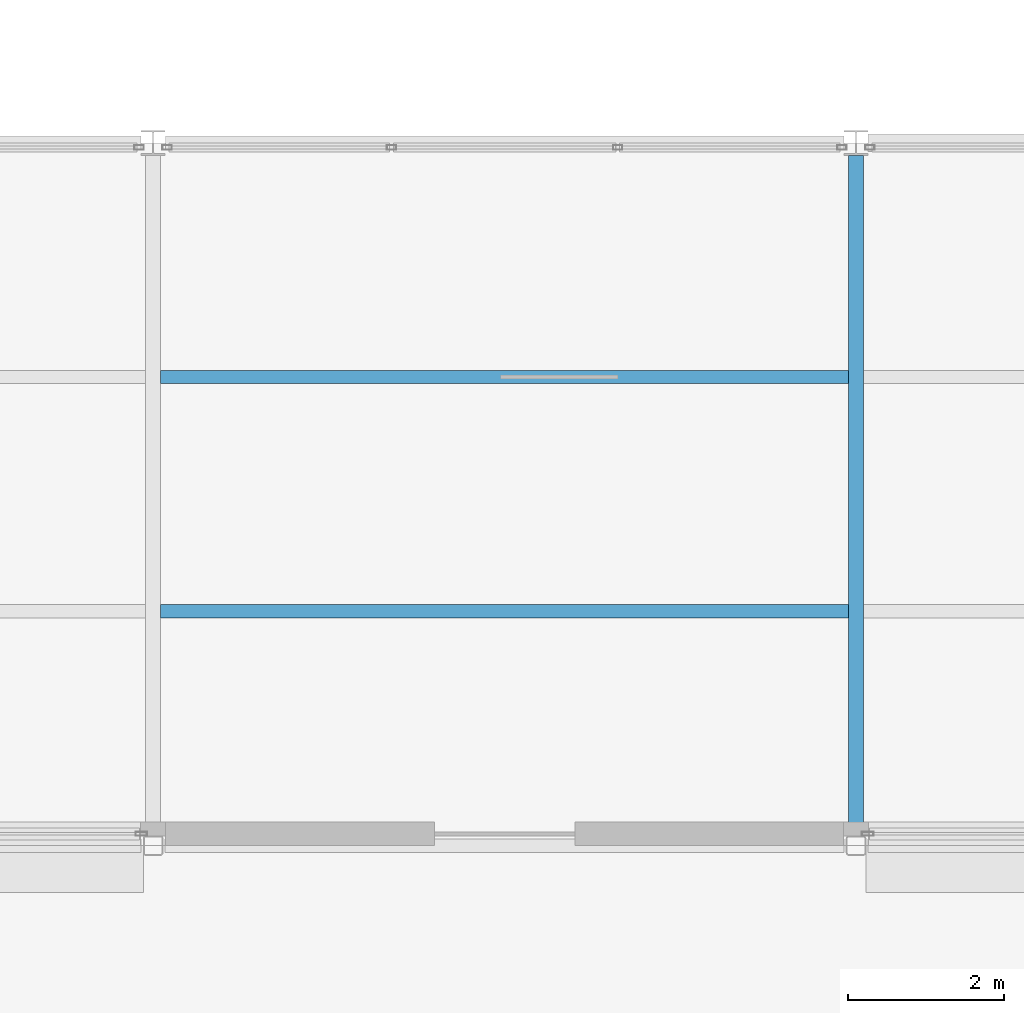
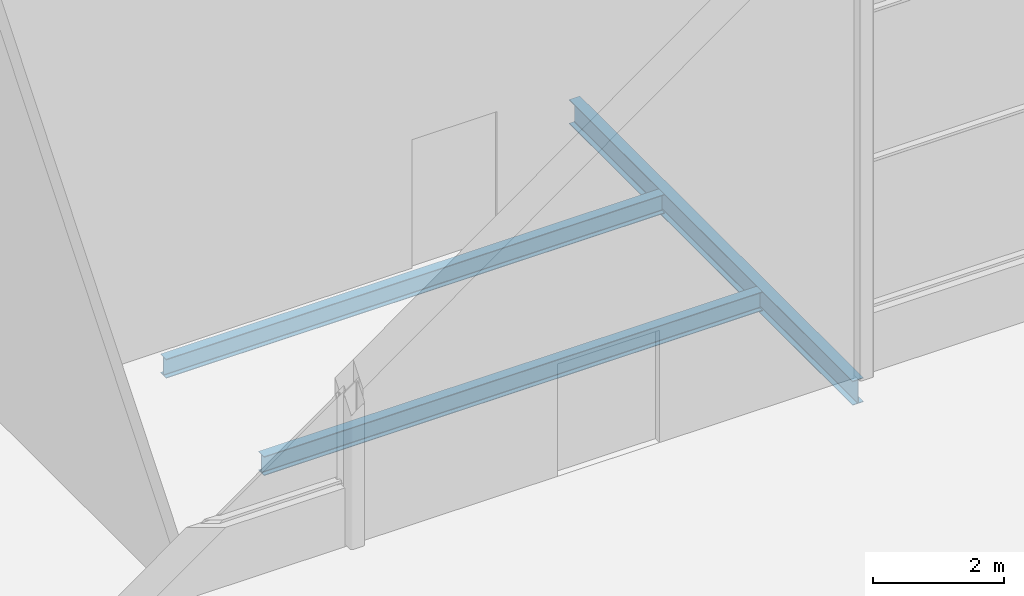
# One storey, part 20 of 111: 3 beams.
"""IFC4 building model written with IfcOpenShell, lengths in metres."""

from ifc_helpers import new_model, si_unit, direction, frame, origin, origin_2d, place, context, subcontext, project, spatial, i_section, extrude, material, material_profile, profile_set, type_object, element, save


model = new_model("IFC4")

# Units and contexts
model_context = context("Model", 3, precision=1e-05, world=origin(), true_north=direction((0.0, 1.0)))
body_context = subcontext(model_context, "Body", "Model", "MODEL_VIEW")
ifc_project = project(units=[si_unit("LENGTHUNIT", "METRE"), si_unit("AREAUNIT", "SQUARE_METRE"), si_unit("VOLUMEUNIT", "CUBIC_METRE"), si_unit("PLANEANGLEUNIT", "RADIAN"), si_unit("MASSUNIT", "GRAM", prefix="KILO")], contexts=[model_context])

# Site, building, storey
site_placement = place(None, origin())
site = spatial("IfcSite", under=ifc_project, at=site_placement, CompositionType="ELEMENT")
building_placement = place(site_placement, origin())
building = spatial("IfcBuilding", under=site, at=building_placement, Name="Shorebreak Coast Museum", CompositionType="ELEMENT")
storey_placement = place(building_placement, frame((0.0, 0.0, 16.0)))
storey = spatial("IfcBuildingStorey", under=building, at=storey_placement, Name="L03", CompositionType="ELEMENT", Elevation=16.0)

# Beams
ifc_material_1 = material(Name="Steel Grade 300", Category="steel")
ifc_material_profile_1 = material_profile(ifc_material_1, i_section(OverallWidth=0.18994140625, OverallDepth=0.453857421875, WebThickness=0.008544921875, FlangeThickness=0.0126953125, FilletRadius=0.011474609375, at=origin_2d()), Name="460UB67.1")
ifc_profile_set_1 = profile_set([ifc_material_profile_1], Name="Steel Grade 300")
beam_type_1 = type_object("IfcBeamType", Name="Floor girder north-south 460UB67.1", PredefinedType="BEAM", material=ifc_profile_set_1)
beam_placement = place(storey_placement, frame((81.0, 54.1572265625, -0.40185546875), z_axis=(0.0, 1.0, 0.0), x_axis=(-1.0, 0.0, 0.0)))
element("IfcBeam", 1, at=beam_placement, inside=storey, type_object=beam_type_1, Name="Floor girder north-south L03 10G", PredefinedType="BEAM", context=body_context, shape_type="SweptSolid", body=[
    extrude(i_section(OverallWidth=0.18994140625, OverallDepth=0.453857421875, WebThickness=0.008544921875, FlangeThickness=0.0126953125, FilletRadius=0.011474609375, at=origin_2d()), origin(), (0.0, 0.0, 1.0), 8.67919921875),
])
ifc_material_2 = material(Name="Steel Grade 300", Category="steel")
ifc_material_profile_2 = material_profile(ifc_material_2, i_section(OverallWidth=0.1708984375, OverallDepth=0.355712890625, WebThickness=0.00732421875, FlangeThickness=0.011474609375, FilletRadius=0.011474609375, at=origin_2d()), Name="360UB50.7")
ifc_profile_set_2 = profile_set([ifc_material_profile_2], Name="Steel Grade 300")
beam_type_2 = type_object("IfcBeamType", Name="Floor joist 360UB50.7", PredefinedType="JOIST", material=ifc_profile_set_2)
for number, where, z_axis, x_axis, name in (
    (2, (72.094970703125, 57.0, -0.352783203125), (1.0, 0.0, 0.0), (0.0, 1.0, 0.0), "Floor joist L03 bay 9G at 3000 mm"),
    (3, (72.094970703125, 60.0, -0.352783203125), (1.0, 0.0, 0.0), (0.0, 1.0, 0.0), "Floor joist L03 bay 9G at 6000 mm"),
):
    element("IfcBeam", number, at=place(storey_placement, frame(where, z_axis=z_axis, x_axis=x_axis)), inside=storey, type_object=beam_type_2, Name=name, PredefinedType="JOIST", context=body_context, shape_type="SweptSolid", body=[
        extrude(i_section(OverallWidth=0.1708984375, OverallDepth=0.355712890625, WebThickness=0.00732421875, FlangeThickness=0.011474609375, FilletRadius=0.011474609375, at=origin_2d()), origin(), (0.0, 0.0, 1.0), 8.81005859375),
    ])

save(model, "model.ifc")
